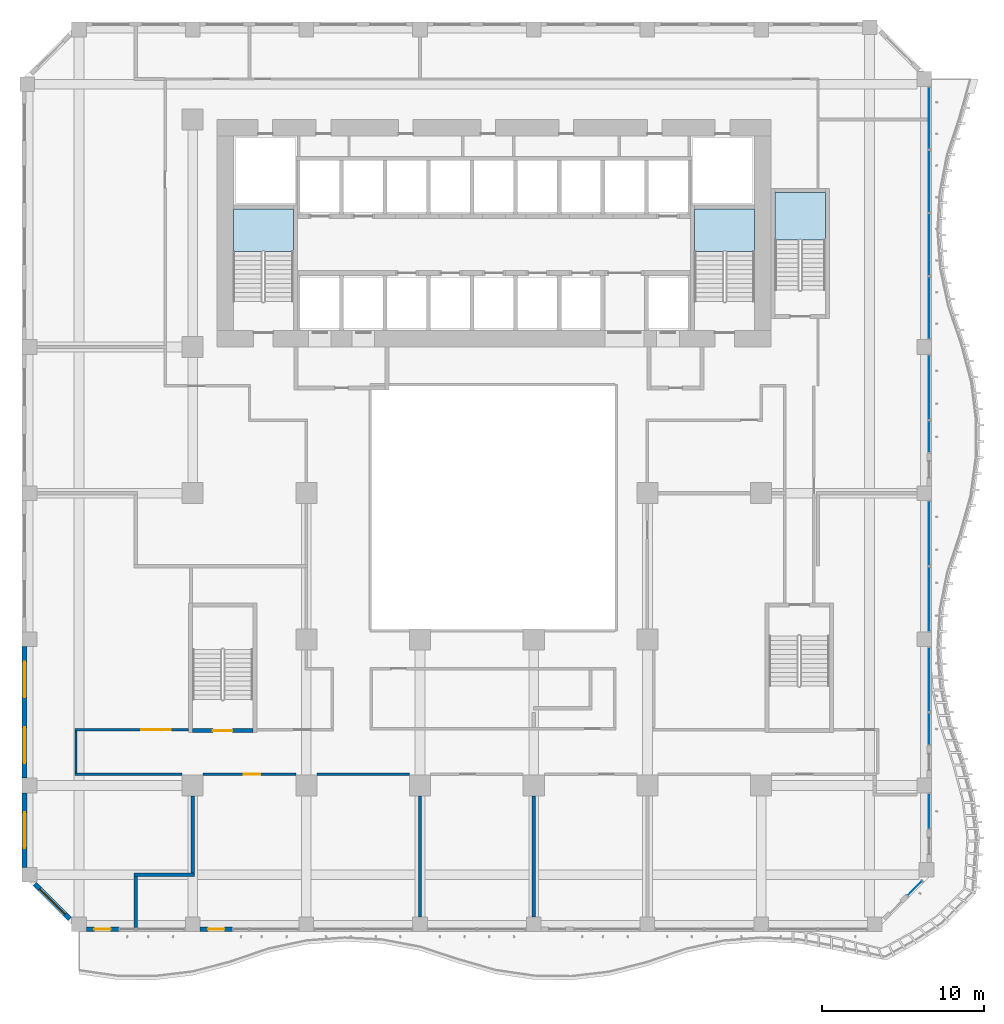
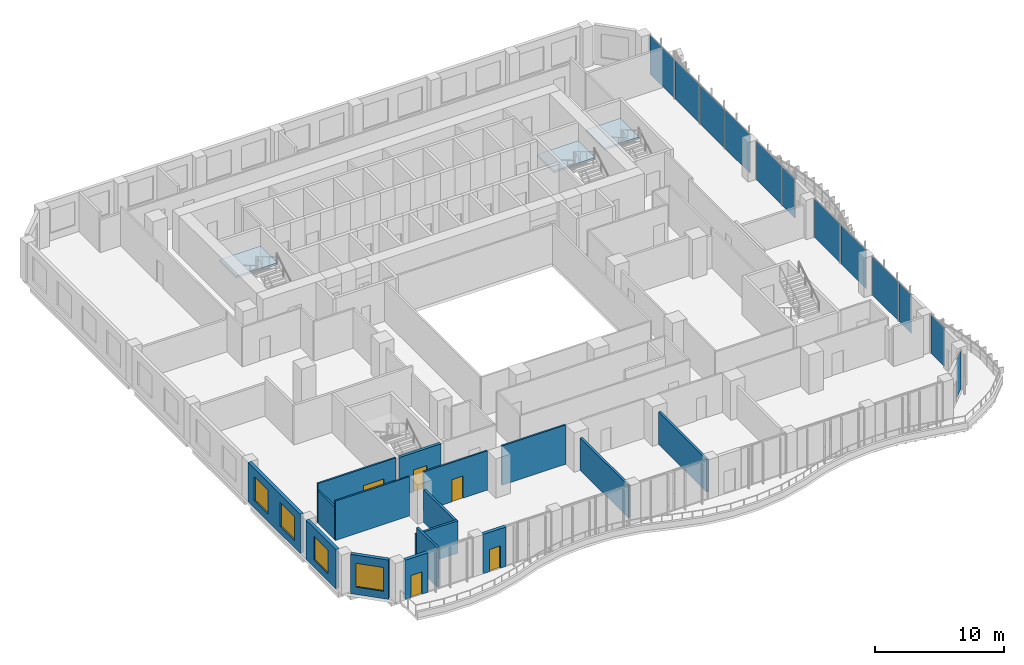
# One storey, part 12 of 27: 16 walls, 12 plates, 5 doors, 4 windows, 3 slabs, 9 openings, 15 elements without a shape of their own.
"""IFC4 building model written with IfcOpenShell, lengths in metres."""

from ifc_helpers import new_model, si_unit, direction, frame, frame_2d, origin, origin_2d, place, context, subcontext, project, spatial, polyline, rectangle, outline, extrude, source, transform, mapped, material, layer, layer_set, type_object, element, fill, aggregate, save


model = new_model("IFC4")

# Units and contexts
model_context = context("Model", 3, precision=1e-05, world=origin(), true_north=direction((0.0, 1.0)))
body_context = subcontext(model_context, "Body", "Model", "MODEL_VIEW")
ifc_project = project(units=[si_unit("LENGTHUNIT", "METRE"), si_unit("AREAUNIT", "SQUARE_METRE"), si_unit("VOLUMEUNIT", "CUBIC_METRE"), si_unit("PLANEANGLEUNIT", "RADIAN"), si_unit("MASSUNIT", "GRAM", prefix="KILO")], contexts=[model_context])

# Site, building, storey
site_placement = place(None, origin())
site = spatial("IfcSite", under=ifc_project, at=site_placement, CompositionType="ELEMENT")
building_placement = place(site_placement, origin())
building = spatial("IfcBuilding", under=site, at=building_placement, Name="Kilnfold Tower and Market Hall", CompositionType="ELEMENT")
storey_placement = place(building_placement, frame((0.0, 0.0, 51.0)))
storey = spatial("IfcBuildingStorey", under=building, at=storey_placement, Name="L11", CompositionType="ELEMENT", Elevation=51.0)

# Curtain wall, plate
ifc_material_1 = material(Name="Aluminium and double glazing", Category="aluminium")
curtain_wall_type = type_object("IfcCurtainWallType", Name="CW OF1 VALLEY GLAZING", PredefinedType="NOTDEFINED", material=ifc_material_1)
curtain_wall_1_placement = place(storey_placement, origin())
curtain_wall_1 = element("IfcCurtainWall", 1, at=curtain_wall_1_placement, inside=storey, type_object=curtain_wall_type, Name="Curtain wall CW1 L11 SE", PredefinedType="NOTDEFINED")
ifc_material_2 = material(Name="Double glazed unit")
ifc_layer_1 = layer(ifc_material_2, 0.031982421875)
ifc_layer_set_1 = layer_set([ifc_layer_1], Name="Double glazed unit")
plate_type = type_object("IfcPlateType", Name="GLAZING PANEL 32", PredefinedType="CURTAIN_PANEL", material=ifc_layer_set_1)
shared_shape_1 = source(origin(), body_context, "Body", "SweptSolid", [
    extrude(rectangle(XDim=1.23876953125, YDim=0.031982421875, at=origin_2d()), origin(), (0.0, 0.0, 1.0), 3.659912109375),
])
plate_1_placement = place(storey_placement, frame((26.963623046875, -25.32421875, 0.0), z_axis=(0.0, 0.0, 1.0), x_axis=(0.707106781187, 0.707106781187, 0.0)))
plate_1 = element("IfcPlate", 2, at=plate_1_placement, type_object=plate_type, Name="CW1 panel 1.1", PredefinedType="CURTAIN_PANEL", context=body_context, shape_type="MappedRepresentation", body=[
    mapped(shared_shape_1, transform((0.0, 0.0, 0.0))),
])
aggregate(curtain_wall_1, [plate_1])

curtain_wall_2_placement = place(storey_placement, origin())
curtain_wall_2 = element("IfcCurtainWall", 3, at=curtain_wall_2_placement, inside=storey, type_object=curtain_wall_type, Name="Curtain wall CW1 L11 E", PredefinedType="NOTDEFINED")
shared_shape_2 = source(origin(), body_context, "Body", "SweptSolid", [
    extrude(rectangle(XDim=2.161865234375, YDim=0.031982421875, at=origin_2d()), origin(), (0.0, 0.0, 1.0), 3.659912109375),
])
plate_2_placement = place(storey_placement, frame((27.85009765625, -20.5908203125, 0.0), z_axis=(0.0, 0.0, 1.0), x_axis=(0.0, 1.0, 0.0)))
plate_2 = element("IfcPlate", 4, at=plate_2_placement, type_object=plate_type, Name="CW1 panel 1.1", PredefinedType="CURTAIN_PANEL", context=body_context, shape_type="MappedRepresentation", body=[
    mapped(shared_shape_2, transform((0.0, 0.0, 0.0))),
])
aggregate(curtain_wall_2, [plate_2])

curtain_wall_3_placement = place(storey_placement, origin())
curtain_wall_3 = element("IfcCurtainWall", 5, at=curtain_wall_3_placement, inside=storey, type_object=curtain_wall_type, Name="Curtain wall CW1 L11 E", PredefinedType="NOTDEFINED")
shared_shape_3 = source(origin(), body_context, "Body", "SweptSolid", [
    extrude(rectangle(XDim=3.929931640625, YDim=0.031982421875, at=origin_2d()), origin(), (0.0, 0.0, 1.0), 3.659912109375),
])
plate_3_placement = place(storey_placement, frame((27.85009765625, -12.47509765625, 0.0), z_axis=(0.0, 0.0, 1.0), x_axis=(0.0, 1.0, 0.0)))
plate_3 = element("IfcPlate", 6, at=plate_3_placement, type_object=plate_type, Name="CW1 panel 1.1", PredefinedType="CURTAIN_PANEL", context=body_context, shape_type="MappedRepresentation", body=[
    mapped(shared_shape_3, transform((0.0, 0.0, 0.0))),
])
aggregate(curtain_wall_3, [plate_3])

curtain_wall_4_placement = place(storey_placement, origin())
curtain_wall_4 = element("IfcCurtainWall", 7, at=curtain_wall_4_placement, inside=storey, type_object=curtain_wall_type, Name="Curtain wall CW1 L11 E", PredefinedType="NOTDEFINED")
plate_4_placement = place(storey_placement, frame((27.85009765625, -7.52490234375, 0.0), z_axis=(0.0, 0.0, 1.0), x_axis=(0.0, 1.0, 0.0)))
plate_4 = element("IfcPlate", 8, at=plate_4_placement, type_object=plate_type, Name="CW1 panel 1.1", PredefinedType="CURTAIN_PANEL", context=body_context, shape_type="MappedRepresentation", body=[
    mapped(shared_shape_3, transform((0.0, 0.0, 0.0))),
])
aggregate(curtain_wall_4, [plate_4])

curtain_wall_5_placement = place(storey_placement, origin())
curtain_wall_5 = element("IfcCurtainWall", 9, at=curtain_wall_5_placement, inside=storey, type_object=curtain_wall_type, Name="Curtain wall CW1 L11 E", PredefinedType="NOTDEFINED")
plate_5_placement = place(storey_placement, frame((27.85009765625, -3.47509765625, 0.0), z_axis=(0.0, 0.0, 1.0), x_axis=(0.0, 1.0, 0.0)))
plate_5 = element("IfcPlate", 10, at=plate_5_placement, type_object=plate_type, Name="CW1 panel 1.1", PredefinedType="CURTAIN_PANEL", context=body_context, shape_type="MappedRepresentation", body=[
    mapped(shared_shape_3, transform((0.0, 0.0, 0.0))),
])
aggregate(curtain_wall_5, [plate_5])

curtain_wall_6_placement = place(storey_placement, origin())
curtain_wall_6 = element("IfcCurtainWall", 11, at=curtain_wall_6_placement, inside=storey, type_object=curtain_wall_type, Name="Curtain wall CW1 L11 E", PredefinedType="NOTDEFINED")
plate_6_placement = place(storey_placement, frame((27.85009765625, 5.52490234375, 0.0), z_axis=(0.0, 0.0, 1.0), x_axis=(0.0, 1.0, 0.0)))
plate_6 = element("IfcPlate", 12, at=plate_6_placement, type_object=plate_type, Name="CW1 panel 1.1", PredefinedType="CURTAIN_PANEL", context=body_context, shape_type="MappedRepresentation", body=[
    mapped(shared_shape_3, transform((0.0, 0.0, 0.0))),
])
aggregate(curtain_wall_6, [plate_6])

curtain_wall_7_placement = place(storey_placement, origin())
curtain_wall_7 = element("IfcCurtainWall", 13, at=curtain_wall_7_placement, inside=storey, type_object=curtain_wall_type, Name="Curtain wall CW1 L11 E", PredefinedType="NOTDEFINED")
shared_shape_4 = source(origin(), body_context, "Body", "SweptSolid", [
    extrude(rectangle(XDim=1.929931640625, YDim=0.031982421875, at=origin_2d()), origin(), (0.0, 0.0, 1.0), 3.659912109375),
])
plate_7_placement = place(storey_placement, frame((27.85009765625, -15.52490234375, 0.0), z_axis=(0.0, 0.0, 1.0), x_axis=(0.0, 1.0, 0.0)))
plate_7 = element("IfcPlate", 14, at=plate_7_placement, type_object=plate_type, Name="CW1 panel 1.1", PredefinedType="CURTAIN_PANEL", context=body_context, shape_type="MappedRepresentation", body=[
    mapped(shared_shape_4, transform((0.0, 0.0, 0.0))),
])
aggregate(curtain_wall_7, [plate_7])

curtain_wall_8_placement = place(storey_placement, origin())
curtain_wall_8 = element("IfcCurtainWall", 15, at=curtain_wall_8_placement, inside=storey, type_object=curtain_wall_type, Name="Curtain wall CW1 L11 E", PredefinedType="NOTDEFINED")
plate_8_placement = place(storey_placement, frame((27.85009765625, 2.47509765625, 0.0), z_axis=(0.0, 0.0, 1.0), x_axis=(0.0, 1.0, 0.0)))
plate_8 = element("IfcPlate", 16, at=plate_8_placement, type_object=plate_type, Name="CW1 panel 1.1", PredefinedType="CURTAIN_PANEL", context=body_context, shape_type="MappedRepresentation", body=[
    mapped(shared_shape_4, transform((0.0, 0.0, 0.0))),
])
aggregate(curtain_wall_8, [plate_8])

curtain_wall_9_placement = place(storey_placement, origin())
curtain_wall_9 = element("IfcCurtainWall", 17, at=curtain_wall_9_placement, inside=storey, type_object=curtain_wall_type, Name="Curtain wall CW1 L11 E", PredefinedType="NOTDEFINED")
shared_shape_5 = source(origin(), body_context, "Body", "SweptSolid", [
    extrude(rectangle(XDim=3.780029296875, YDim=0.031982421875, at=origin_2d()), origin(), (0.0, 0.0, 1.0), 3.659912109375),
])
plate_9_placement = place(storey_placement, frame((27.85009765625, 10.39990234375, 0.0), z_axis=(0.0, 0.0, 1.0), x_axis=(0.0, 1.0, 0.0)))
plate_9 = element("IfcPlate", 18, at=plate_9_placement, type_object=plate_type, Name="CW1 panel 1.1", PredefinedType="CURTAIN_PANEL", context=body_context, shape_type="MappedRepresentation", body=[
    mapped(shared_shape_5, transform((0.0, 0.0, 0.0))),
])
aggregate(curtain_wall_9, [plate_9])

curtain_wall_10_placement = place(storey_placement, origin())
curtain_wall_10 = element("IfcCurtainWall", 19, at=curtain_wall_10_placement, inside=storey, type_object=curtain_wall_type, Name="Curtain wall CW1 L11 E", PredefinedType="NOTDEFINED")
plate_10_placement = place(storey_placement, frame((27.85009765625, 14.300048828125, 0.0), z_axis=(0.0, 0.0, 1.0), x_axis=(0.0, 1.0, 0.0)))
plate_10 = element("IfcPlate", 20, at=plate_10_placement, type_object=plate_type, Name="CW1 panel 1.1", PredefinedType="CURTAIN_PANEL", context=body_context, shape_type="MappedRepresentation", body=[
    mapped(shared_shape_5, transform((0.0, 0.0, 0.0))),
])
aggregate(curtain_wall_10, [plate_10])

curtain_wall_11_placement = place(storey_placement, origin())
curtain_wall_11 = element("IfcCurtainWall", 21, at=curtain_wall_11_placement, inside=storey, type_object=curtain_wall_type, Name="Curtain wall CW1 L11 E", PredefinedType="NOTDEFINED")
plate_11_placement = place(storey_placement, frame((27.85009765625, 18.199951171875, 0.0), z_axis=(0.0, 0.0, 1.0), x_axis=(0.0, 1.0, 0.0)))
plate_11 = element("IfcPlate", 22, at=plate_11_placement, type_object=plate_type, Name="CW1 panel 1.1", PredefinedType="CURTAIN_PANEL", context=body_context, shape_type="MappedRepresentation", body=[
    mapped(shared_shape_5, transform((0.0, 0.0, 0.0))),
])
aggregate(curtain_wall_11, [plate_11])

curtain_wall_12_placement = place(storey_placement, origin())
curtain_wall_12 = element("IfcCurtainWall", 23, at=curtain_wall_12_placement, inside=storey, type_object=curtain_wall_type, Name="Curtain wall CW1 L11 E", PredefinedType="NOTDEFINED")
plate_12_placement = place(storey_placement, frame((27.85009765625, 22.10009765625, 0.0), z_axis=(0.0, 0.0, 1.0), x_axis=(0.0, 1.0, 0.0)))
plate_12 = element("IfcPlate", 24, at=plate_12_placement, type_object=plate_type, Name="CW1 panel 1.1", PredefinedType="CURTAIN_PANEL", context=body_context, shape_type="MappedRepresentation", body=[
    mapped(shared_shape_5, transform((0.0, 0.0, 0.0))),
])
aggregate(curtain_wall_12, [plate_12])

# Stair, slab
ifc_material_3 = material(Name="Concrete C40/50", Category="concrete")
stair_type_1 = type_object("IfcStairType", Name="CORE STAIR 1800", PredefinedType="HALF_TURN_STAIR", material=ifc_material_3)
stair_1_placement = place(storey_placement, origin())
stair_1 = element("IfcStair", 25, at=stair_1_placement, inside=storey, type_object=stair_type_1, Name="L11 ST1", PredefinedType="HALF_TURN_STAIR")
ifc_material_4 = material(Name="Concrete C40/50", Category="concrete")
ifc_layer_2 = layer(ifc_material_4, 0.199951171875)
ifc_layer_set_2 = layer_set([ifc_layer_2], Name="Concrete C40/50")
slab_type = type_object("IfcSlabType", Name="CORE STAIR LANDING 200", PredefinedType="LANDING", material=ifc_layer_set_2)
shared_shape_6 = source(origin(), body_context, "Body", "SweptSolid", [
    extrude(outline(polyline([(-11.300048828125, 13.8798828125), (-11.300048828125, 16.5), (-15.0, 16.5), (-15.0, 13.8798828125), (-11.300048828125, 13.8798828125)])), origin(), (0.0, 0.0, 1.0), 0.199951171875),
])
slab_1_placement = place(storey_placement, frame((0.0, 0.0, 1.800048828125)))
slab_1 = element("IfcSlab", 26, at=slab_1_placement, type_object=slab_type, Name="ST1 landing 1", PredefinedType="LANDING", context=body_context, shape_type="MappedRepresentation", body=[
    mapped(shared_shape_6, transform((0.0, 0.0, 0.0))),
])
aggregate(stair_1, [slab_1])

stair_2_placement = place(storey_placement, origin())
stair_2 = element("IfcStair", 27, at=stair_2_placement, inside=storey, type_object=stair_type_1, Name="L11 ST2", PredefinedType="HALF_TURN_STAIR")
shared_shape_7 = source(origin(), body_context, "Body", "SweptSolid", [
    extrude(outline(polyline([(17.10009765625, 13.8798828125), (17.10009765625, 16.5), (13.39990234375, 16.5), (13.39990234375, 13.8798828125), (17.10009765625, 13.8798828125)])), origin(), (0.0, 0.0, 1.0), 0.199951171875),
])
slab_2_placement = place(storey_placement, frame((0.0, 0.0, 1.800048828125)))
slab_2 = element("IfcSlab", 28, at=slab_2_placement, type_object=slab_type, Name="ST2 landing 1", PredefinedType="LANDING", context=body_context, shape_type="MappedRepresentation", body=[
    mapped(shared_shape_7, transform((0.0, 0.0, 0.0))),
])
aggregate(stair_2, [slab_2])

ifc_material_5 = material(Name="Concrete C40/50", Category="concrete")
stair_type_2 = type_object("IfcStairType", Name="CORE STAIR 1500", PredefinedType="HALF_TURN_STAIR", material=ifc_material_5)
stair_3_placement = place(storey_placement, origin())
stair_3 = element("IfcStair", 29, at=stair_3_placement, inside=storey, type_object=stair_type_2, Name="L11 ST5", PredefinedType="HALF_TURN_STAIR")
shared_shape_8 = source(origin(), body_context, "Body", "SweptSolid", [
    extrude(outline(polyline([(21.449951171875, 14.580078125), (21.449951171875, 17.5), (18.35009765625, 17.5), (18.35009765625, 14.580078125), (21.449951171875, 14.580078125)])), origin(), (0.0, 0.0, 1.0), 0.199951171875),
])
slab_3_placement = place(storey_placement, frame((0.0, 0.0, 1.800048828125)))
slab_3 = element("IfcSlab", 30, at=slab_3_placement, type_object=slab_type, Name="ST5 landing 1", PredefinedType="LANDING", context=body_context, shape_type="MappedRepresentation", body=[
    mapped(shared_shape_8, transform((0.0, 0.0, 0.0))),
])
aggregate(stair_3, [slab_3])

# Walls
ifc_material_6 = material(Name="Gypsum board on steel studs", Category="steel")
ifc_layer_3 = layer(ifc_material_6, 0.14990234375)
ifc_layer_set_3 = layer_set([ifc_layer_3], Name="Gypsum board on steel studs")
wall_type_1 = type_object("IfcWallType", Name="WALL CORRIDOR 150", PredefinedType="PARTITIONING", material=ifc_layer_set_3)
wall_1_placement = place(storey_placement, frame((-24.757080078125, -18.300048828125, 0.0), z_axis=(0.0, 0.0, 1.0), x_axis=(1.0, 0.0, 0.0)))
element("IfcWall", 31, at=wall_1_placement, inside=storey, type_object=wall_type_1, Name="Partition LY10.7", PredefinedType="PARTITIONING", context=body_context, shape_type="SweptSolid", body=[
    extrude(rectangle(XDim=6.607177734375, YDim=0.14990234375, at=frame_2d((3.3037109375, 0.0))), origin(), (0.0, 0.0, 1.0), 3.719970703125),
])
wall_2_placement = place(storey_placement, frame((-24.681884765625, -15.64990234375, 0.0), z_axis=(0.0, 0.0, 1.0), x_axis=(0.0, -1.0, 0.0)))
element("IfcWall", 32, at=wall_2_placement, inside=storey, type_object=wall_type_1, Name="Partition LY10.8", PredefinedType="PARTITIONING", context=body_context, shape_type="SweptSolid", body=[
    extrude(rectangle(XDim=2.5751953125, YDim=0.14990234375, at=frame_2d((1.28759765625, 0.0))), origin(), (0.0, 0.0, 1.0), 3.070068359375),
])

# Wall, opening, door
wall_3_placement = place(storey_placement, frame((-24.757080078125, -15.574951171875, 0.0), z_axis=(0.0, 0.0, 1.0), x_axis=(1.0, 0.0, 0.0)))
wall_3 = element("IfcWall", 33, at=wall_3_placement, inside=storey, type_object=wall_type_1, Name="Partition LY10.9", PredefinedType="PARTITIONING", context=body_context, shape_type="SweptSolid", body=[
    extrude(rectangle(XDim=7.007080078125, YDim=0.14990234375, at=frame_2d((3.50341796875, 0.0))), origin(), (0.0, 0.0, 1.0), 3.719970703125),
])
opening_1_placement = place(wall_3_placement, frame((4.10595703125, 0.0, 0.0)))
opening_1 = element("IfcOpeningElement", 34, at=opening_1_placement, cuts=wall_3, Name="Opening D5", PredefinedType="OPENING", context=body_context, shape_type="SweptSolid", body=[
    extrude(rectangle(XDim=1.800048828125, YDim=2.10009765625, at=frame_2d((0.89990234375, 1.050048828125))), frame((0.0, 0.0849609375, 0.0), z_axis=(0.0, -1.0, 0.0), x_axis=(1.0, 0.0, 0.0)), (0.0, 0.0, 1.0), 0.169921875),
])
ifc_material_7 = material(Name="Timber veneer door leaf in steel frame", Category="steel")
door_type_1 = type_object("IfcDoorType", Name="DOOR DOUBLE 1800 X2100", OperationType="NOTDEFINED", PredefinedType="DOOR", material=ifc_material_7)
door_1_placement = place(opening_1_placement, origin())
door_1 = element("IfcDoor", 35, at=door_1_placement, inside=storey, type_object=door_type_1, Name="Door D5", OperationType="DOUBLE_DOOR_SINGLE_SWING", OverallHeight=2.10009765625, OverallWidth=1.800048828125, PredefinedType="DOOR", context=body_context, shape_type="SweptSolid", body=[
    extrude(rectangle(XDim=1.800048828125, YDim=2.10009765625, at=frame_2d((0.89990234375, 1.050048828125))), frame((0.0, 0.02490234375, 0.0), z_axis=(0.0, -1.0, 0.0), x_axis=(1.0, 0.0, 0.0)), (0.0, 0.0, 1.0), 0.050048828125),
])
fill(opening_1, door_1)

wall_4_placement = place(storey_placement, frame((-16.85009765625, -18.300048828125, 0.0), z_axis=(0.0, 0.0, 1.0), x_axis=(1.0, 0.0, 0.0)))
wall_4 = element("IfcWall", 36, at=wall_4_placement, inside=storey, type_object=wall_type_1, Name="Partition LY10.15", PredefinedType="PARTITIONING", context=body_context, shape_type="SweptSolid", body=[
    extrude(rectangle(XDim=5.7001953125, YDim=0.14990234375, at=frame_2d((2.85009765625, 0.0))), origin(), (0.0, 0.0, 1.0), 3.719970703125),
])
opening_2_placement = place(wall_4_placement, frame((2.5, 0.0, 0.0)))
opening_2 = element("IfcOpeningElement", 37, at=opening_2_placement, cuts=wall_4, Name="Opening D1", PredefinedType="OPENING", context=body_context, shape_type="SweptSolid", body=[
    extrude(rectangle(XDim=1.0, YDim=2.10009765625, at=frame_2d((0.5, 1.050048828125))), frame((0.0, 0.0849609375, 0.0), z_axis=(0.0, -1.0, 0.0), x_axis=(1.0, 0.0, 0.0)), (0.0, 0.0, 1.0), 0.169921875),
])
ifc_material_8 = material(Name="Timber veneer door leaf in steel frame", Category="steel")
door_type_2 = type_object("IfcDoorType", Name="DOOR ENTRY 1000 X2100", OperationType="NOTDEFINED", PredefinedType="DOOR", material=ifc_material_8)
door_2_placement = place(opening_2_placement, origin())
door_2 = element("IfcDoor", 38, at=door_2_placement, inside=storey, type_object=door_type_2, Name="Door D1", OperationType="SINGLE_SWING_RIGHT", OverallHeight=2.10009765625, OverallWidth=1.0, PredefinedType="DOOR", context=body_context, shape_type="SweptSolid", body=[
    extrude(rectangle(XDim=1.0, YDim=2.10009765625, at=frame_2d((0.5, 1.050048828125))), frame((0.0, 0.02490234375, 0.0), z_axis=(0.0, -1.0, 0.0), x_axis=(1.0, 0.0, 0.0)), (0.0, 0.0, 1.0), 0.050048828125),
])
fill(opening_2, door_2)

# Walls
wall_5_placement = place(storey_placement, frame((-9.85009765625, -18.300048828125, 0.0), z_axis=(0.0, 0.0, 1.0), x_axis=(1.0, 0.0, 0.0)))
element("IfcWall", 39, at=wall_5_placement, inside=storey, type_object=wall_type_1, Name="Partition LY10.16", PredefinedType="PARTITIONING", context=body_context, shape_type="SweptSolid", body=[
    extrude(rectangle(XDim=5.7001953125, YDim=0.14990234375, at=frame_2d((2.85009765625, 0.0))), origin(), (0.0, 0.0, 1.0), 3.719970703125),
])
ifc_material_9 = material(Name="Gypsum board on steel studs", Category="steel")
ifc_layer_4 = layer(ifc_material_9, 0.199951171875)
ifc_layer_set_4 = layer_set([ifc_layer_4], Name="Gypsum board on steel studs")
wall_type_2 = type_object("IfcWallType", Name="WALL PARTY 200", PredefinedType="PARTITIONING", material=ifc_layer_set_4)
wall_6_placement = place(storey_placement, frame((-17.5, -24.39990234375, 0.0), z_axis=(0.0, 0.0, 1.0), x_axis=(0.0, 1.0, 0.0)))
element("IfcWall", 40, at=wall_6_placement, inside=storey, type_object=wall_type_2, Name="Partition LY10.47", PredefinedType="PARTITIONING", context=body_context, shape_type="SweptSolid", body=[
    extrude(rectangle(XDim=4.75, YDim=0.199951171875, at=frame_2d((2.375, 0.0))), origin(), (0.0, 0.0, 1.0), 3.070068359375),
])
wall_7_placement = place(storey_placement, frame((-21.10009765625, -24.5, 0.0), z_axis=(0.0, 0.0, 1.0), x_axis=(1.0, 0.0, 0.0)))
element("IfcWall", 41, at=wall_7_placement, inside=storey, type_object=wall_type_2, Name="Partition LY10.48", PredefinedType="PARTITIONING", context=body_context, shape_type="SweptSolid", body=[
    extrude(rectangle(XDim=3.7001953125, YDim=0.199951171875, at=frame_2d((1.85009765625, 0.0))), origin(), (0.0, 0.0, 1.0), 3.070068359375),
])
wall_8_placement = place(storey_placement, frame((-21.0, -27.75, 0.0), z_axis=(0.0, 0.0, 1.0), x_axis=(0.0, 1.0, 0.0)))
element("IfcWall", 42, at=wall_8_placement, inside=storey, type_object=wall_type_2, Name="Partition LY10.49", PredefinedType="PARTITIONING", context=body_context, shape_type="SweptSolid", body=[
    extrude(rectangle(XDim=3.14990234375, YDim=0.199951171875, at=frame_2d((1.574951171875, 0.0))), origin(), (0.0, 0.0, 1.0), 3.719970703125),
])
for number, where, z_axis, x_axis, name in (
    (43, (-3.5, -27.10009765625, 0.0), (0.0, 0.0, 1.0), (0.0, 1.0, 0.0), "Partition LY10.50"),
    (44, (3.5, -27.10009765625, 0.0), (0.0, 0.0, 1.0), (0.0, 1.0, 0.0), "Partition LY10.54"),
):
    element("IfcWall", number, at=place(storey_placement, frame(where, z_axis=z_axis, x_axis=x_axis)), inside=storey, type_object=wall_type_2, Name=name, PredefinedType="PARTITIONING", context=body_context, shape_type="SweptSolid", body=[
        extrude(rectangle(XDim=7.4501953125, YDim=0.199951171875, at=frame_2d((3.72509765625, 0.0))), origin(), (0.0, 0.0, 1.0), 3.070068359375),
    ])

# Wall, opening, door
ifc_material_10 = material(Name="Concrete C80", Category="concrete")
ifc_layer_5 = layer(ifc_material_10, 0.25)
ifc_layer_set_5 = layer_set([ifc_layer_5], Name="Concrete C80")
wall_type_3 = type_object("IfcWallType", Name="CORE WALL 250 C80", PredefinedType="SHEAR", material=ifc_layer_set_5)
shared_shape_9 = source(origin(), body_context, "Body", "SweptSolid", [
    extrude(rectangle(XDim=3.699951171875, YDim=0.25, at=frame_2d((1.85009765625, 0.0))), origin(), (0.0, 0.0, 1.0), 3.719970703125),
])
wall_9_placement = place(storey_placement, frame((-17.5, -15.625, 0.0), z_axis=(0.0, 0.0, 1.0), x_axis=(1.0, 0.0, 0.0)))
wall_9 = element("IfcWall", 45, at=wall_9_placement, inside=storey, type_object=wall_type_3, Name="Stair enclosure ST3", PredefinedType="SHEAR", context=body_context, shape_type="MappedRepresentation", body=[
    mapped(shared_shape_9, transform((0.0, 0.0, 0.0))),
])
opening_3_placement = place(wall_9_placement, frame((1.25, 0.0, 0.0)))
opening_3 = element("IfcOpeningElement", 46, at=opening_3_placement, cuts=wall_9, Name="Opening SD1", PredefinedType="OPENING", context=body_context, shape_type="SweptSolid", body=[
    extrude(rectangle(XDim=1.199951171875, YDim=2.10009765625, at=frame_2d((0.60009765625, 1.050048828125))), frame((0.0, 0.135009765625, 0.0), z_axis=(0.0, -1.0, 0.0), x_axis=(1.0, 0.0, 0.0)), (0.0, 0.0, 1.0), 0.27001953125),
])
ifc_material_11 = material(Name="Steel door set with fire-resisting leaf", Category="steel")
door_type_3 = type_object("IfcDoorType", Name="STAIR FLOOR DOOR 1200X2100", OperationType="NOTDEFINED", PredefinedType="DOOR", material=ifc_material_11)
door_3_placement = place(opening_3_placement, origin())
door_3 = element("IfcDoor", 47, at=door_3_placement, inside=storey, type_object=door_type_3, Name="Exit stair ST3 door", OperationType="DOUBLE_DOOR_SINGLE_SWING", OverallHeight=2.10009765625, OverallWidth=1.199951171875, PredefinedType="DOOR", context=body_context, shape_type="SweptSolid", body=[
    extrude(rectangle(XDim=1.199951171875, YDim=2.10009765625, at=frame_2d((0.60009765625, 1.050048828125))), frame((0.0, 0.02490234375, 0.0), z_axis=(0.0, -1.0, 0.0), x_axis=(1.0, 0.0, 0.0)), (0.0, 0.0, 1.0), 0.050048828125),
])
fill(opening_3, door_3)

ifc_material_12 = material(Name="Precast concrete C50/60", Category="concrete")
ifc_layer_6 = layer(ifc_material_12, 0.300048828125)
ifc_layer_set_6 = layer_set([ifc_layer_6], Name="Precast concrete C50/60")
wall_type_4 = type_object("IfcWallType", Name="PRECAST WALL 300", PredefinedType="SOLIDWALL", material=ifc_layer_set_6)
shared_shape_10 = source(origin(), body_context, "Body", "SweptSolid", [
    extrude(rectangle(XDim=2.0, YDim=0.300048828125, at=frame_2d((1.0, 0.0))), origin(), (0.0, 0.0, 1.0), 3.719970703125),
])
wall_10_placement = place(storey_placement, frame((-24.050048828125, -27.85009765625, 0.0), z_axis=(0.0, 0.0, 1.0), x_axis=(1.0, 0.0, 0.0)))
wall_10 = element("IfcWall", 48, at=wall_10_placement, inside=storey, type_object=wall_type_4, Name="External wall L11 S", PredefinedType="SOLIDWALL", context=body_context, shape_type="MappedRepresentation", body=[
    mapped(shared_shape_10, transform((0.0, 0.0, 0.0))),
])
opening_4_placement = place(wall_10_placement, frame((0.5, 0.0, 0.0)))
opening_4 = element("IfcOpeningElement", 49, at=opening_4_placement, cuts=wall_10, Name="Opening BD1", PredefinedType="OPENING", context=body_context, shape_type="SweptSolid", body=[
    extrude(rectangle(XDim=1.0, YDim=2.10009765625, at=frame_2d((0.5, 1.050048828125))), frame((0.0, 0.16015625, 0.0), z_axis=(0.0, -1.0, 0.0), x_axis=(1.0, 0.0, 0.0)), (0.0, 0.0, 1.0), 0.320068359375),
])
ifc_material_13 = material(Name="Aluminium frame and double glazing", Category="aluminium")
door_type_4 = type_object("IfcDoorType", Name="BALCONY DOOR 1000X2100", OperationType="NOTDEFINED", PredefinedType="DOOR", material=ifc_material_13)
door_4_placement = place(opening_4_placement, origin())
door_4 = element("IfcDoor", 50, at=door_4_placement, inside=storey, type_object=door_type_4, Name="Balcony door BD1 L11 S-1", OperationType="SINGLE_SWING_LEFT", OverallHeight=2.10009765625, OverallWidth=1.0, PredefinedType="DOOR", context=body_context, shape_type="SweptSolid", body=[
    extrude(rectangle(XDim=1.0, YDim=2.10009765625, at=frame_2d((0.5, 1.050048828125))), frame((0.0, 0.02490234375, 0.0), z_axis=(0.0, -1.0, 0.0), x_axis=(1.0, 0.0, 0.0)), (0.0, 0.0, 1.0), 0.050048828125),
])
fill(opening_4, door_4)

wall_11_placement = place(storey_placement, frame((-17.050048828125, -27.85009765625, 0.0), z_axis=(0.0, 0.0, 1.0), x_axis=(1.0, 0.0, 0.0)))
wall_11 = element("IfcWall", 51, at=wall_11_placement, inside=storey, type_object=wall_type_4, Name="External wall L11 S", PredefinedType="SOLIDWALL", context=body_context, shape_type="MappedRepresentation", body=[
    mapped(shared_shape_10, transform((0.0, 0.0, 0.0))),
])
opening_5_placement = place(wall_11_placement, frame((0.5, 0.0, 0.0)))
opening_5 = element("IfcOpeningElement", 52, at=opening_5_placement, cuts=wall_11, Name="Opening BD1", PredefinedType="OPENING", context=body_context, shape_type="SweptSolid", body=[
    extrude(rectangle(XDim=1.0, YDim=2.10009765625, at=frame_2d((0.5, 1.050048828125))), frame((0.0, 0.16015625, 0.0), z_axis=(0.0, -1.0, 0.0), x_axis=(1.0, 0.0, 0.0)), (0.0, 0.0, 1.0), 0.320068359375),
])
door_5_placement = place(opening_5_placement, origin())
door_5 = element("IfcDoor", 53, at=door_5_placement, inside=storey, type_object=door_type_4, Name="Balcony door BD1 L11 S-1", OperationType="SINGLE_SWING_LEFT", OverallHeight=2.10009765625, OverallWidth=1.0, PredefinedType="DOOR", context=body_context, shape_type="SweptSolid", body=[
    extrude(rectangle(XDim=1.0, YDim=2.10009765625, at=frame_2d((0.5, 1.050048828125))), frame((0.0, 0.02490234375, 0.0), z_axis=(0.0, -1.0, 0.0), x_axis=(1.0, 0.0, 0.0)), (0.0, 0.0, 1.0), 0.050048828125),
])
fill(opening_5, door_5)

# Wall, openings, windows
shared_shape_11 = source(origin(), body_context, "Body", "SweptSolid", [
    extrude(rectangle(XDim=8.10009765625, YDim=0.300048828125, at=frame_2d((4.050048828125, 0.0))), origin(), (0.0, 0.0, 1.0), 3.719970703125),
])
wall_12_placement = place(storey_placement, frame((-27.85009765625, -10.449951171875, 0.0), z_axis=(0.0, 0.0, 1.0), x_axis=(0.0, -1.0, 0.0)))
wall_12 = element("IfcWall", 54, at=wall_12_placement, inside=storey, type_object=wall_type_4, Name="External wall L11 W", PredefinedType="SOLIDWALL", context=body_context, shape_type="MappedRepresentation", body=[
    mapped(shared_shape_11, transform((0.0, 0.0, 0.0))),
])
opening_6_placement = place(wall_12_placement, frame((0.925048828125, 0.0, 0.699951171875)))
opening_6 = element("IfcOpeningElement", 55, at=opening_6_placement, cuts=wall_12, Name="Opening W1", PredefinedType="OPENING", context=body_context, shape_type="SweptSolid", body=[
    extrude(rectangle(XDim=2.199951171875, YDim=2.25, at=frame_2d((1.10009765625, 1.125))), frame((0.0, 0.16015625, 0.0), z_axis=(0.0, -1.0, 0.0), x_axis=(1.0, 0.0, 0.0)), (0.0, 0.0, 1.0), 0.320068359375),
])
opening_7_placement = place(wall_12_placement, frame((4.97509765625, 0.0, 0.699951171875)))
opening_7 = element("IfcOpeningElement", 56, at=opening_7_placement, cuts=wall_12, Name="Opening W1", PredefinedType="OPENING", context=body_context, shape_type="SweptSolid", body=[
    extrude(rectangle(XDim=2.199951171875, YDim=2.25, at=frame_2d((1.10009765625, 1.125))), frame((0.0, 0.16015625, 0.0), z_axis=(0.0, -1.0, 0.0), x_axis=(1.0, 0.0, 0.0)), (0.0, 0.0, 1.0), 0.320068359375),
])
ifc_material_14 = material(Name="Aluminium frame and double glazing", Category="aluminium")
window_type = type_object("IfcWindowType", Name="WINDOW W1 2200X2250", PartitioningType="SINGLE_PANEL", PredefinedType="WINDOW", material=ifc_material_14)
window_1_placement = place(opening_6_placement, origin())
window_1 = element("IfcWindow", 57, at=window_1_placement, inside=storey, type_object=window_type, Name="Window W1 L11 W-1", OverallHeight=2.25, OverallWidth=2.199951171875, PartitioningType="SINGLE_PANEL", PredefinedType="WINDOW", context=body_context, shape_type="SweptSolid", body=[
    extrude(rectangle(XDim=2.199951171875, YDim=2.25, at=frame_2d((1.10009765625, 1.125))), frame((0.0, 0.030029296875, 0.0), z_axis=(0.0, -1.0, 0.0), x_axis=(1.0, 0.0, 0.0)), (0.0, 0.0, 1.0), 0.06005859375),
])
fill(opening_6, window_1)
window_2_placement = place(opening_7_placement, origin())
window_2 = element("IfcWindow", 58, at=window_2_placement, inside=storey, type_object=window_type, Name="Window W1 L11 W-2", OverallHeight=2.25, OverallWidth=2.199951171875, PartitioningType="SINGLE_PANEL", PredefinedType="WINDOW", context=body_context, shape_type="SweptSolid", body=[
    extrude(rectangle(XDim=2.199951171875, YDim=2.25, at=frame_2d((1.10009765625, 1.125))), frame((0.0, 0.030029296875, 0.0), z_axis=(0.0, -1.0, 0.0), x_axis=(1.0, 0.0, 0.0)), (0.0, 0.0, 1.0), 0.06005859375),
])
fill(opening_7, window_2)

# Wall, opening, window
shared_shape_12 = source(origin(), body_context, "Body", "SweptSolid", [
    extrude(rectangle(XDim=4.60009765625, YDim=0.300048828125, at=frame_2d((2.300048828125, 0.0))), origin(), (0.0, 0.0, 1.0), 3.719970703125),
])
wall_13_placement = place(storey_placement, frame((-27.85009765625, -19.449951171875, 0.0), z_axis=(0.0, 0.0, 1.0), x_axis=(0.0, -1.0, 0.0)))
wall_13 = element("IfcWall", 59, at=wall_13_placement, inside=storey, type_object=wall_type_4, Name="External wall L11 W", PredefinedType="SOLIDWALL", context=body_context, shape_type="MappedRepresentation", body=[
    mapped(shared_shape_12, transform((0.0, 0.0, 0.0))),
])
opening_8_placement = place(wall_13_placement, frame((1.199951171875, 0.0, 0.699951171875)))
opening_8 = element("IfcOpeningElement", 60, at=opening_8_placement, cuts=wall_13, Name="Opening W1", PredefinedType="OPENING", context=body_context, shape_type="SweptSolid", body=[
    extrude(rectangle(XDim=2.199951171875, YDim=2.25, at=frame_2d((1.10009765625, 1.125))), frame((0.0, 0.16015625, 0.0), z_axis=(0.0, -1.0, 0.0), x_axis=(1.0, 0.0, 0.0)), (0.0, 0.0, 1.0), 0.320068359375),
])
window_3_placement = place(opening_8_placement, origin())
window_3 = element("IfcWindow", 61, at=window_3_placement, inside=storey, type_object=window_type, Name="Window W1 L11 W-1", OverallHeight=2.25, OverallWidth=2.199951171875, PartitioningType="SINGLE_PANEL", PredefinedType="WINDOW", context=body_context, shape_type="SweptSolid", body=[
    extrude(rectangle(XDim=2.199951171875, YDim=2.25, at=frame_2d((1.10009765625, 1.125))), frame((0.0, 0.030029296875, 0.0), z_axis=(0.0, -1.0, 0.0), x_axis=(1.0, 0.0, 0.0)), (0.0, 0.0, 1.0), 0.06005859375),
])
fill(opening_8, window_3)

shared_shape_13 = source(origin(), body_context, "Body", "SweptSolid", [
    extrude(rectangle(XDim=3.040771484375, YDim=0.300048828125, at=frame_2d((1.5205078125, 0.0))), origin(), (0.0, 0.0, 1.0), 3.719970703125),
])
wall_14_placement = place(storey_placement, frame((-27.218994140625, -25.06884765625, 0.0), z_axis=(0.0, 0.0, 1.0), x_axis=(0.707106781187, -0.707106781187, 0.0)))
wall_14 = element("IfcWall", 62, at=wall_14_placement, inside=storey, type_object=wall_type_4, Name="External wall L11 SW", PredefinedType="SOLIDWALL", context=body_context, shape_type="MappedRepresentation", body=[
    mapped(shared_shape_13, transform((0.0, 0.0, 0.0))),
])
opening_9_placement = place(wall_14_placement, frame((0.42041015625, 0.0, 0.699951171875)))
opening_9 = element("IfcOpeningElement", 63, at=opening_9_placement, cuts=wall_14, Name="Opening W1", PredefinedType="OPENING", context=body_context, shape_type="SweptSolid", body=[
    extrude(rectangle(XDim=2.199951171875, YDim=2.25, at=frame_2d((1.10009765625, 1.125))), frame((0.0, 0.16015625, 0.0), z_axis=(0.0, -1.0, 0.0), x_axis=(1.0, 0.0, 0.0)), (0.0, 0.0, 1.0), 0.320068359375),
])
window_4_placement = place(opening_9_placement, origin())
window_4 = element("IfcWindow", 64, at=window_4_placement, inside=storey, type_object=window_type, Name="Window W1 L11 SW-1", OverallHeight=2.25, OverallWidth=2.199951171875, PartitioningType="SINGLE_PANEL", PredefinedType="WINDOW", context=body_context, shape_type="SweptSolid", body=[
    extrude(rectangle(XDim=2.199951171875, YDim=2.25, at=frame_2d((1.10009765625, 1.125))), frame((0.0, 0.030029296875, 0.0), z_axis=(0.0, -1.0, 0.0), x_axis=(1.0, 0.0, 0.0)), (0.0, 0.0, 1.0), 0.06005859375),
])
fill(opening_9, window_4)

save(model, "model.ifc")
